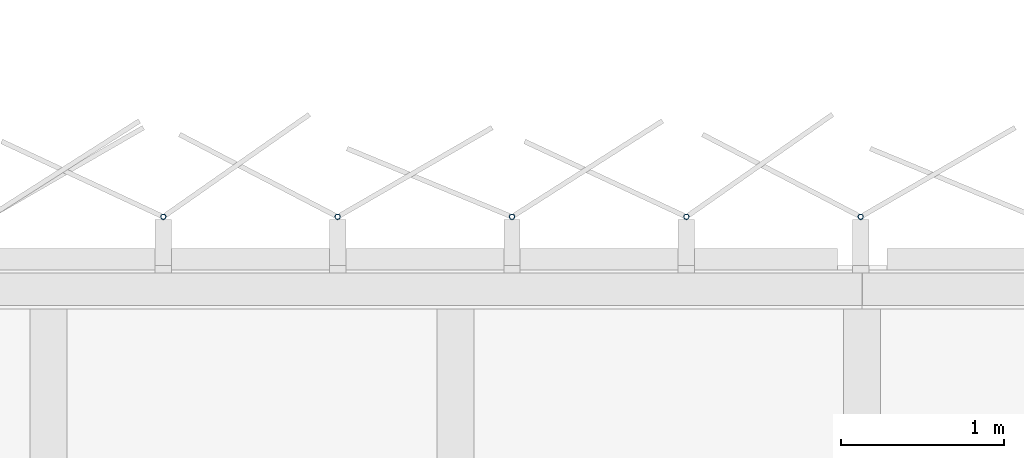
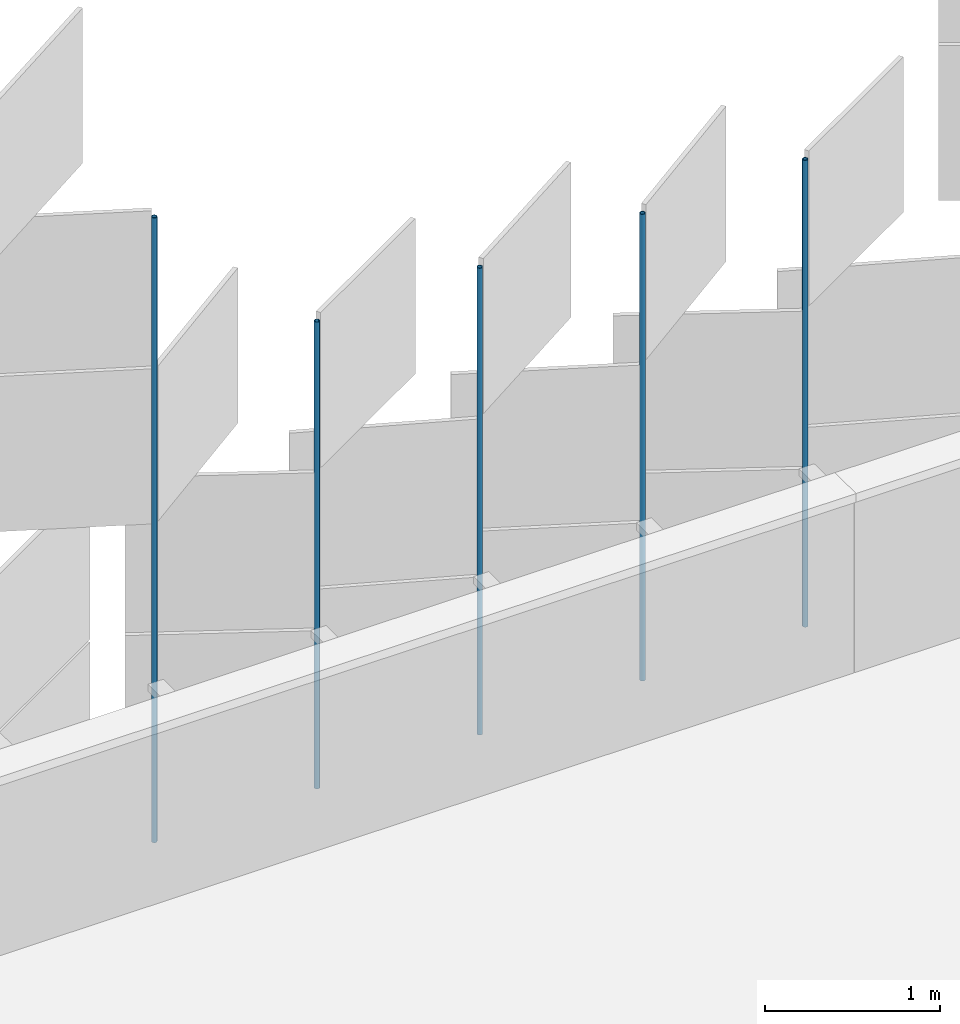
# One storey, part 342 of 483: 5 discrete accessories.
"""IFC4 building model written with IfcOpenShell, lengths in metres."""

from ifc_helpers import new_model, si_unit, direction, frame, origin, origin_2d, place, context, subcontext, project, spatial, hollow_circle, extrude, material, material_profile, profile_set, type_object, element, save


model = new_model("IFC4")

# Units and contexts
model_context = context("Model", 3, precision=1e-05, world=origin(), true_north=direction((0.0, 1.0)))
body_context = subcontext(model_context, "Body", "Model", "MODEL_VIEW")
ifc_project = project(units=[si_unit("LENGTHUNIT", "METRE"), si_unit("AREAUNIT", "SQUARE_METRE"), si_unit("VOLUMEUNIT", "CUBIC_METRE"), si_unit("PLANEANGLEUNIT", "RADIAN"), si_unit("MASSUNIT", "GRAM", prefix="KILO")], contexts=[model_context])

# Site, building, storey
site_placement = place(None, origin())
site = spatial("IfcSite", under=ifc_project, at=site_placement, CompositionType="ELEMENT")
building_placement = place(site_placement, origin())
building = spatial("IfcBuilding", under=site, at=building_placement, Name="Parallax Yard Mobility Hub", CompositionType="ELEMENT")
storey_placement = place(building_placement, frame((0.0, 0.0, 13.199951171875)))
storey = spatial("IfcBuildingStorey", under=building, at=storey_placement, Name="L04", CompositionType="ELEMENT", Elevation=13.199951171875)

# Discrete accessories
ifc_material = material(Name="Steel ASTM A500 Gr C, hot-dip galvanised", Category="steel")
ifc_material_profile = material_profile(ifc_material, hollow_circle(Radius=0.016845703125, WallThickness=0.003173828125, at=origin_2d()), Name="CHS 33.7x3.2")
ifc_profile_set = profile_set([ifc_material_profile], Name="Steel ASTM A500 Gr C, hot-dip galvanised")
discrete_accessory_type = type_object("IfcDiscreteAccessoryType", Name="Hinge post CHS 33.7x3.2", PredefinedType="BRACKET", material=ifc_profile_set)
for number, where, z_axis, x_axis, name in (
    (1, (82.4912109375, 142.800048828125, 0.0), (0.0, 0.0, 1.0), (1.0, 0.0, 0.0), "Hinge post bay 63.1 level L04"),
    (2, (81.419677734375, 142.800048828125, 0.0), (0.0, 0.0, 1.0), (1.0, 0.0, 0.0), "Hinge post bay 63.2 level L04"),
    (3, (80.34814453125, 142.800048828125, 0.0), (0.0, 0.0, 1.0), (1.0, 0.0, 0.0), "Hinge post bay 63.3 level L04"),
    (4, (79.276611328125, 142.800048828125, 0.0), (0.0, 0.0, 1.0), (1.0, 0.0, 0.0), "Hinge post bay 63.4 level L04"),
):
    element("IfcDiscreteAccessory", number, at=place(storey_placement, frame(where, z_axis=z_axis, x_axis=x_axis)), inside=storey, type_object=discrete_accessory_type, Name=name, PredefinedType="BRACKET", context=body_context, shape_type="SweptSolid", body=[
        extrude(hollow_circle(Radius=0.016845703125, WallThickness=0.003173828125, at=origin_2d()), origin(), (0.0, 0.0, 1.0), 3.25),
    ])
discrete_accessory_placement = place(storey_placement, frame((78.205078125, 142.800048828125, 0.0), z_axis=(0.0, 0.0, 1.0), x_axis=(1.0, 0.0, 0.0)))
element("IfcDiscreteAccessory", 5, at=discrete_accessory_placement, inside=storey, type_object=discrete_accessory_type, Name="Hinge post bay 63.5 level L04", PredefinedType="BRACKET", context=body_context, shape_type="SweptSolid", body=[
    extrude(hollow_circle(Radius=0.016845703125, WallThickness=0.003173828125, at=origin_2d()), origin(), (0.0, 0.0, 1.0), 4.35009765625),
])

save(model, "model.ifc")
